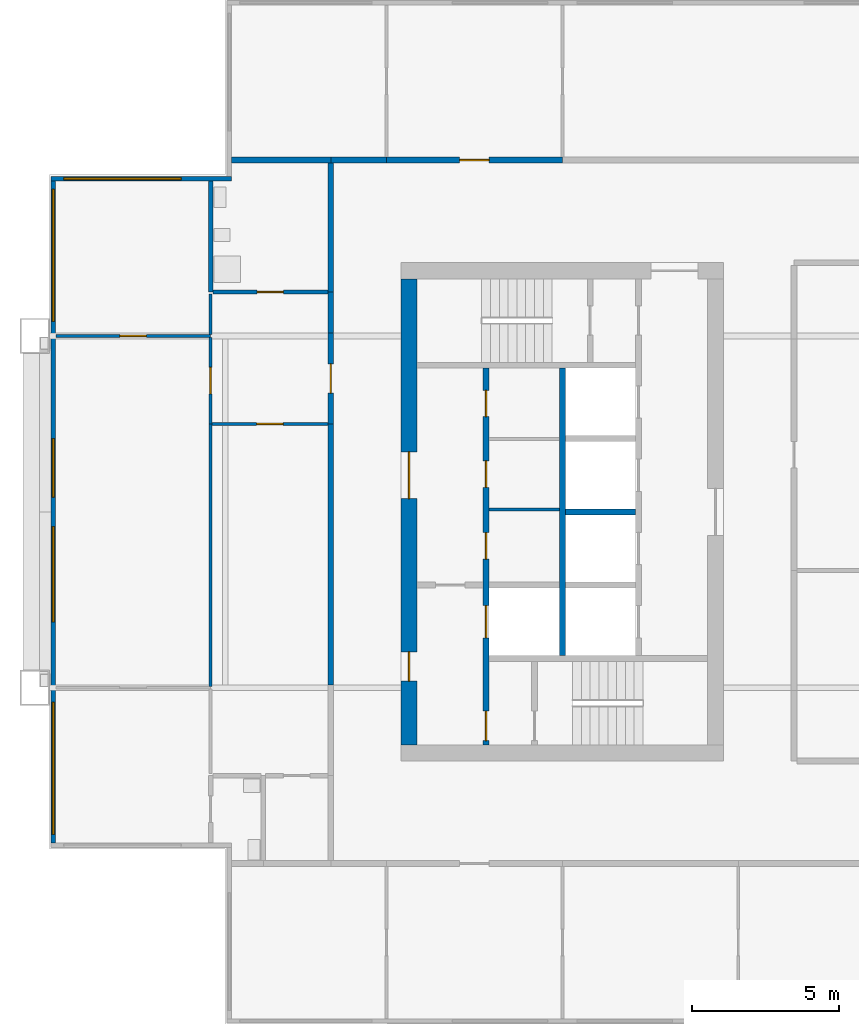
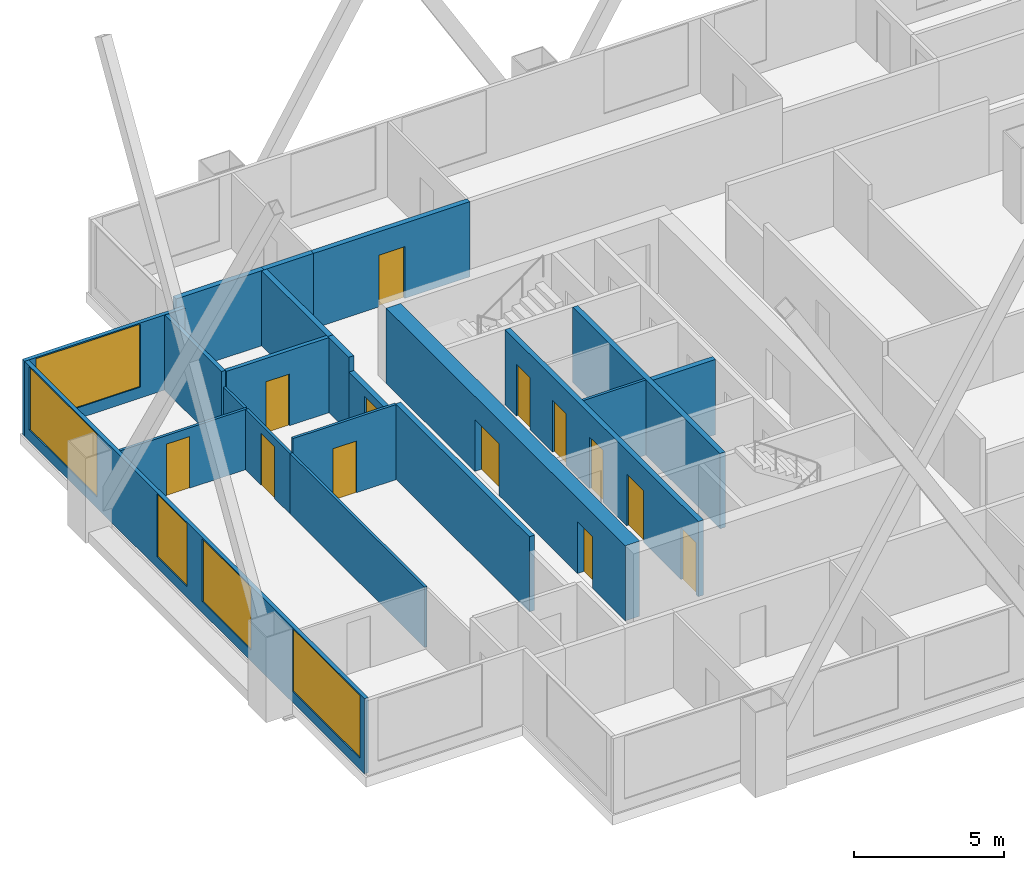
# One storey, part 3 of 9: 21 walls, 13 doors, 5 windows, 18 openings.
"""IFC4 building model written with IfcOpenShell, lengths in metres."""

from ifc_helpers import new_model, si_unit, direction, frame, frame_2d, origin, place, context, subcontext, project, spatial, rectangle, extrude, material, layer, layer_set, type_object, element, fill, save


model = new_model("IFC4")

# Units and contexts
model_context = context("Model", 3, precision=1e-05, world=origin(), true_north=direction((0.0, 1.0)))
body_context = subcontext(model_context, "Body", "Model", "MODEL_VIEW")
ifc_project = project(units=[si_unit("LENGTHUNIT", "METRE"), si_unit("AREAUNIT", "SQUARE_METRE"), si_unit("VOLUMEUNIT", "CUBIC_METRE"), si_unit("PLANEANGLEUNIT", "RADIAN"), si_unit("MASSUNIT", "GRAM", prefix="KILO")], contexts=[model_context])

# Site, building, storey
site_placement = place(None, origin())
site = spatial("IfcSite", under=ifc_project, at=site_placement, CompositionType="ELEMENT")
building_placement = place(site_placement, origin())
building = spatial("IfcBuilding", under=site, at=building_placement, Name="Kitamizu Gate Tower and Museum", CompositionType="ELEMENT")
storey_placement = place(building_placement, frame((0.0, 0.0, 192.75)))
storey = spatial("IfcBuildingStorey", under=building, at=storey_placement, Name="L51", CompositionType="ELEMENT", Elevation=192.75)

# Wall, openings, doors
ifc_material_1 = material(Name="Concrete Fc42", Category="concrete")
ifc_layer_1 = layer(ifc_material_1, 0.550048828125)
ifc_layer_set_1 = layer_set([ifc_layer_1], Name="Concrete Fc42")
wall_type_1 = type_object("IfcWallType", Name="Core wall 550", PredefinedType="SHEAR", material=ifc_layer_set_1)
wall_1_placement = place(storey_placement, frame((12.77490234375, 22.050048828125, 0.0), z_axis=(0.0, 0.0, 1.0), x_axis=(0.0, 1.0, 0.0)))
wall_1 = element("IfcWall", 1, at=wall_1_placement, inside=storey, type_object=wall_type_1, Name="Core wall WOUT", PredefinedType="SHEAR", context=body_context, shape_type="SweptSolid", body=[
    extrude(rectangle(XDim=15.89990234375, YDim=0.550048828125, at=frame_2d((7.949951171875, 0.0))), origin(), (0.0, 0.0, 1.0), 3.050048828125),
])
opening_1_placement = place(wall_1_placement, frame((8.39990234375, 0.0, 0.0)))
opening_1 = element("IfcOpeningElement", 2, at=opening_1_placement, cuts=wall_1, Name="Opening L51-035", PredefinedType="OPENING", context=body_context, shape_type="SweptSolid", body=[
    extrude(rectangle(XDim=1.60009765625, YDim=2.10009765625, at=frame_2d((0.800048828125, 1.050048828125))), frame((0.0, 0.28515625, 0.0), z_axis=(0.0, -1.0, 0.0), x_axis=(1.0, 0.0, 0.0)), (0.0, 0.0, 1.0), 0.570068359375),
])
opening_2_placement = place(wall_1_placement, frame((2.175048828125, 0.0, 0.0)))
opening_2 = element("IfcOpeningElement", 3, at=opening_2_placement, cuts=wall_1, Name="Opening L51-036", PredefinedType="OPENING", context=body_context, shape_type="SweptSolid", body=[
    extrude(rectangle(XDim=1.0, YDim=2.10009765625, at=frame_2d((0.5, 1.050048828125))), frame((0.0, 0.28515625, 0.0), z_axis=(0.0, -1.0, 0.0), x_axis=(1.0, 0.0, 0.0)), (0.0, 0.0, 1.0), 0.570068359375),
])
ifc_material_2 = material(Name="Timber door set", Category="wood")
door_type_1 = type_object("IfcDoorType", Name="Entrance door 1600", OperationType="DOUBLE_DOOR_SINGLE_SWING", PredefinedType="DOOR", material=ifc_material_2)
door_1_placement = place(opening_1_placement, origin())
door_1 = element("IfcDoor", 4, at=door_1_placement, inside=storey, type_object=door_type_1, Name="Lobby door L51-035", OperationType="DOUBLE_DOOR_SINGLE_SWING", OverallHeight=2.10009765625, OverallWidth=1.60009765625, PredefinedType="DOOR", context=body_context, shape_type="SweptSolid", body=[
    extrude(rectangle(XDim=1.60009765625, YDim=2.10009765625, at=frame_2d((0.800048828125, 1.050048828125))), frame((0.0, 0.02490234375, 0.0), z_axis=(0.0, -1.0, 0.0), x_axis=(1.0, 0.0, 0.0)), (0.0, 0.0, 1.0), 0.050048828125),
])
fill(opening_1, door_1)
ifc_material_3 = material(Name="Hollow metal door set")
door_type_2 = type_object("IfcDoorType", Name="Fire door 1000", OperationType="NOTDEFINED", PredefinedType="DOOR", material=ifc_material_3)
door_2_placement = place(opening_2_placement, frame((1.0, 0.0, 0.0), x_axis=(-1.0, 0.0, 0.0)))
door_2 = element("IfcDoor", 5, at=door_2_placement, inside=storey, type_object=door_type_2, Name="Fire-fighting lobby door L51-036", OperationType="SINGLE_SWING_LEFT", OverallHeight=2.10009765625, OverallWidth=1.0, PredefinedType="DOOR", context=body_context, shape_type="SweptSolid", body=[
    extrude(rectangle(XDim=1.0, YDim=2.10009765625, at=frame_2d((0.5, 1.050048828125))), frame((0.0, 0.02490234375, 0.0), z_axis=(0.0, -1.0, 0.0), x_axis=(1.0, 0.0, 0.0)), (0.0, 0.0, 1.0), 0.050048828125),
])
fill(opening_2, door_2)

# Wall
ifc_material_4 = material(Name="Gypsum board on galvanised stud")
ifc_layer_2 = layer(ifc_material_4, 0.10009765625)
ifc_layer_set_2 = layer_set([ifc_layer_2], Name="Gypsum board on galvanised stud")
wall_type_2 = type_object("IfcWallType", Name="Partition 100", PredefinedType="PARTITIONING", material=ifc_layer_set_2)
wall_2_placement = place(storey_placement, frame((15.5, 30.08203125, 0.0), z_axis=(0.0, 0.0, 1.0), x_axis=(1.0, 0.0, 0.0)))
element("IfcWall", 6, at=wall_2_placement, inside=storey, type_object=wall_type_2, Name="Partition WPF1", PredefinedType="PARTITIONING", context=body_context, shape_type="SweptSolid", body=[
    extrude(rectangle(XDim=2.39990234375, YDim=0.10009765625, at=frame_2d((1.199951171875, 0.0))), origin(), (0.0, 0.0, 1.0), 3.050048828125),
])

# Wall, opening, door
ifc_material_5 = material(Name="Gypsum board on galvanised stud")
ifc_layer_3 = layer(ifc_material_5, 0.10009765625)
ifc_layer_set_3 = layer_set([ifc_layer_3], Name="Gypsum board on galvanised stud")
wall_type_3 = type_object("IfcWallType", Name="Partition 100 NOT RATED", PredefinedType="PARTITIONING", material=ifc_layer_set_3)
wall_3_placement = place(storey_placement, frame((6.0, 36.0, 0.0), z_axis=(0.0, 0.0, 1.0), x_axis=(-1.0, 0.0, 0.0)))
wall_3 = element("IfcWall", 7, at=wall_3_placement, inside=storey, type_object=wall_type_3, Name="Partition L51-041", PredefinedType="PARTITIONING", context=body_context, shape_type="SweptSolid", body=[
    extrude(rectangle(XDim=5.280029296875, YDim=0.10009765625, at=frame_2d((2.64013671875, 0.0))), origin(), (0.0, 0.0, 1.0), 2.449951171875),
])
opening_3_placement = place(wall_3_placement, frame((2.18994140625, 0.0, 0.0)))
opening_3 = element("IfcOpeningElement", 8, at=opening_3_placement, cuts=wall_3, Name="Opening L51-021", PredefinedType="OPENING", context=body_context, shape_type="SweptSolid", body=[
    extrude(rectangle(XDim=0.89990234375, YDim=2.10009765625, at=frame_2d((0.449951171875, 1.050048828125))), frame((0.0, 0.06005859375, 0.0), z_axis=(0.0, -1.0, 0.0), x_axis=(1.0, 0.0, 0.0)), (0.0, 0.0, 1.0), 0.1201171875),
])
ifc_material_6 = material(Name="Timber door set", Category="wood")
door_type_3 = type_object("IfcDoorType", Name="Room door 900", OperationType="NOTDEFINED", PredefinedType="DOOR", material=ifc_material_6)
door_3_placement = place(opening_3_placement, frame((0.89990234375, 0.0, 0.0), x_axis=(-1.0, 0.0, 0.0)))
door_3 = element("IfcDoor", 9, at=door_3_placement, inside=storey, type_object=door_type_3, Name="Door L51-021", OperationType="SINGLE_SWING_LEFT", OverallHeight=2.10009765625, OverallWidth=0.89990234375, PredefinedType="DOOR", context=body_context, shape_type="SweptSolid", body=[
    extrude(rectangle(XDim=0.89990234375, YDim=2.10009765625, at=frame_2d((0.449951171875, 1.050048828125))), frame((0.0, 0.02490234375, 0.0), z_axis=(0.0, -1.0, 0.0), x_axis=(1.0, 0.0, 0.0)), (0.0, 0.0, 1.0), 0.050048828125),
])
fill(opening_3, door_3)

# Wall
wall_4_placement = place(storey_placement, frame((6.0, 24.050048828125, 0.0), z_axis=(0.0, 0.0, 1.0), x_axis=(0.0, 1.0, 0.0)))
element("IfcWall", 10, at=wall_4_placement, inside=storey, type_object=wall_type_3, Name="Partition L51-042", PredefinedType="PARTITIONING", context=body_context, shape_type="SweptSolid", body=[
    extrude(rectangle(XDim=8.949951171875, YDim=0.10009765625, at=frame_2d((4.47509765625, 0.0))), origin(), (0.0, 0.0, 1.0), 2.449951171875),
])

# Wall, opening, door
wall_5_placement = place(storey_placement, frame((6.0, 33.0, 0.0), z_axis=(0.0, 0.0, 1.0), x_axis=(0.0, 1.0, 0.0)))
wall_5 = element("IfcWall", 11, at=wall_5_placement, inside=storey, type_object=wall_type_3, Name="Partition L51-043", PredefinedType="PARTITIONING", context=body_context, shape_type="SweptSolid", body=[
    extrude(rectangle(XDim=2.949951171875, YDim=0.10009765625, at=frame_2d((1.47509765625, 0.0))), origin(), (0.0, 0.0, 1.0), 2.449951171875),
])
opening_4_placement = place(wall_5_placement, frame((1.02490234375, 0.0, 0.0)))
opening_4 = element("IfcOpeningElement", 12, at=opening_4_placement, cuts=wall_5, Name="Opening L51-017", PredefinedType="OPENING", context=body_context, shape_type="SweptSolid", body=[
    extrude(rectangle(XDim=0.89990234375, YDim=2.10009765625, at=frame_2d((0.449951171875, 1.050048828125))), frame((0.0, 0.06005859375, 0.0), z_axis=(0.0, -1.0, 0.0), x_axis=(1.0, 0.0, 0.0)), (0.0, 0.0, 1.0), 0.1201171875),
])
door_4_placement = place(opening_4_placement, origin())
door_4 = element("IfcDoor", 13, at=door_4_placement, inside=storey, type_object=door_type_3, Name="Door L51-017", OperationType="SINGLE_SWING_LEFT", OverallHeight=2.10009765625, OverallWidth=0.89990234375, PredefinedType="DOOR", context=body_context, shape_type="SweptSolid", body=[
    extrude(rectangle(XDim=0.89990234375, YDim=2.10009765625, at=frame_2d((0.449951171875, 1.050048828125))), frame((0.0, 0.02490234375, 0.0), z_axis=(0.0, -1.0, 0.0), x_axis=(1.0, 0.0, 0.0)), (0.0, 0.0, 1.0), 0.050048828125),
])
fill(opening_4, door_4)

# Wall
wall_6_placement = place(storey_placement, frame((6.0, 36.050048828125, 0.0), z_axis=(0.0, 0.0, 1.0), x_axis=(0.0, 1.0, 0.0)))
element("IfcWall", 14, at=wall_6_placement, inside=storey, type_object=wall_type_3, Name="Partition L51-044", PredefinedType="PARTITIONING", context=body_context, shape_type="SweptSolid", body=[
    extrude(rectangle(XDim=1.375, YDim=0.10009765625, at=frame_2d((0.6875, 0.0))), origin(), (0.0, 0.0, 1.0), 2.449951171875),
])

# Wall, opening, door
wall_7_placement = place(storey_placement, frame((10.0, 33.0, 0.0), z_axis=(0.0, 0.0, 1.0), x_axis=(-1.0, 0.0, 0.0)))
wall_7 = element("IfcWall", 15, at=wall_7_placement, inside=storey, type_object=wall_type_3, Name="Partition L51-050", PredefinedType="PARTITIONING", context=body_context, shape_type="SweptSolid", body=[
    extrude(rectangle(XDim=3.949951171875, YDim=0.10009765625, at=frame_2d((1.97509765625, 0.0))), origin(), (0.0, 0.0, 1.0), 3.050048828125),
])
opening_5_placement = place(wall_7_placement, frame((1.52490234375, 0.0, 0.0)))
opening_5 = element("IfcOpeningElement", 16, at=opening_5_placement, cuts=wall_7, Name="Opening L51-018", PredefinedType="OPENING", context=body_context, shape_type="SweptSolid", body=[
    extrude(rectangle(XDim=0.89990234375, YDim=2.10009765625, at=frame_2d((0.449951171875, 1.050048828125))), frame((0.0, 0.06005859375, 0.0), z_axis=(0.0, -1.0, 0.0), x_axis=(1.0, 0.0, 0.0)), (0.0, 0.0, 1.0), 0.1201171875),
])
door_5_placement = place(opening_5_placement, frame((0.89990234375, 0.0, 0.0), x_axis=(-1.0, 0.0, 0.0)))
door_5 = element("IfcDoor", 17, at=door_5_placement, inside=storey, type_object=door_type_3, Name="Door L51-018", OperationType="SINGLE_SWING_RIGHT", OverallHeight=2.10009765625, OverallWidth=0.89990234375, PredefinedType="DOOR", context=body_context, shape_type="SweptSolid", body=[
    extrude(rectangle(XDim=0.89990234375, YDim=2.10009765625, at=frame_2d((0.449951171875, 1.050048828125))), frame((0.0, 0.02490234375, 0.0), z_axis=(0.0, -1.0, 0.0), x_axis=(1.0, 0.0, 0.0)), (0.0, 0.0, 1.0), 0.050048828125),
])
fill(opening_5, door_5)

# Wall
ifc_material_7 = material(Name="Gypsum board on galvanised stud")
ifc_layer_4 = layer(ifc_material_7, 0.14990234375)
ifc_layer_set_4 = layer_set([ifc_layer_4], Name="Gypsum board on galvanised stud")
wall_type_4 = type_object("IfcWallType", Name="Partition 150", PredefinedType="PARTITIONING", material=ifc_layer_set_4)
wall_8_placement = place(storey_placement, frame((6.0, 37.5, 0.0), z_axis=(0.0, 0.0, 1.0), x_axis=(0.0, 1.0, 0.0)))
element("IfcWall", 18, at=wall_8_placement, inside=storey, type_object=wall_type_4, Name="Partition L51-045", PredefinedType="PARTITIONING", context=body_context, shape_type="SweptSolid", body=[
    extrude(rectangle(XDim=3.780029296875, YDim=0.14990234375, at=frame_2d((1.89013671875, 0.0))), origin(), (0.0, 0.0, 1.0), 3.050048828125),
])

# Wall, opening, door
wall_9_placement = place(storey_placement, frame((10.0, 37.5, 0.0), z_axis=(0.0, 0.0, 1.0), x_axis=(-1.0, 0.0, 0.0)))
wall_9 = element("IfcWall", 19, at=wall_9_placement, inside=storey, type_object=wall_type_4, Name="Partition L51-053", PredefinedType="PARTITIONING", context=body_context, shape_type="SweptSolid", body=[
    extrude(rectangle(XDim=3.925048828125, YDim=0.14990234375, at=frame_2d((1.96240234375, 0.0))), origin(), (0.0, 0.0, 1.0), 3.050048828125),
])
opening_6_placement = place(wall_9_placement, frame((1.512451171875, 0.0, 0.0)))
opening_6 = element("IfcOpeningElement", 20, at=opening_6_placement, cuts=wall_9, Name="Opening L51-020", PredefinedType="OPENING", context=body_context, shape_type="SweptSolid", body=[
    extrude(rectangle(XDim=0.89990234375, YDim=2.10009765625, at=frame_2d((0.449951171875, 1.050048828125))), frame((0.0, 0.0849609375, 0.0), z_axis=(0.0, -1.0, 0.0), x_axis=(1.0, 0.0, 0.0)), (0.0, 0.0, 1.0), 0.169921875),
])
ifc_material_8 = material(Name="Timber door set", Category="wood")
door_type_4 = type_object("IfcDoorType", Name="Bathroom door 900", OperationType="NOTDEFINED", PredefinedType="DOOR", material=ifc_material_8)
door_6_placement = place(opening_6_placement, frame((0.89990234375, 0.0, 0.0), x_axis=(-1.0, 0.0, 0.0)))
door_6 = element("IfcDoor", 21, at=door_6_placement, inside=storey, type_object=door_type_4, Name="Bathroom door L51-020", OperationType="SINGLE_SWING_RIGHT", OverallHeight=2.10009765625, OverallWidth=0.89990234375, PredefinedType="DOOR", context=body_context, shape_type="SweptSolid", body=[
    extrude(rectangle(XDim=0.89990234375, YDim=2.10009765625, at=frame_2d((0.449951171875, 1.050048828125))), frame((0.0, 0.02490234375, 0.0), z_axis=(0.0, -1.0, 0.0), x_axis=(1.0, 0.0, 0.0)), (0.0, 0.0, 1.0), 0.050048828125),
])
fill(opening_6, door_6)

# Walls
ifc_material_9 = material(Name="Gypsum board on galvanised stud")
ifc_layer_5 = layer(ifc_material_9, 0.199951171875)
ifc_layer_set_5 = layer_set([ifc_layer_5], Name="Gypsum board on galvanised stud")
wall_type_5 = type_object("IfcWallType", Name="Partition 200", PredefinedType="PARTITIONING", material=ifc_layer_set_5)
wall_10_placement = place(storey_placement, frame((6.719970703125, 42.0, 0.0), z_axis=(0.0, 0.0, 1.0), x_axis=(1.0, 0.0, 0.0)))
element("IfcWall", 22, at=wall_10_placement, inside=storey, type_object=wall_type_5, Name="Partition L51-024", PredefinedType="PARTITIONING", context=body_context, shape_type="SweptSolid", body=[
    extrude(rectangle(XDim=3.380126953125, YDim=0.199951171875, at=frame_2d((1.68994140625, 0.0))), origin(), (0.0, 0.0, 1.0), 3.050048828125),
])
wall_11_placement = place(storey_placement, frame((10.10009765625, 42.0, 0.0), z_axis=(0.0, 0.0, 1.0), x_axis=(1.0, 0.0, 0.0)))
element("IfcWall", 23, at=wall_11_placement, inside=storey, type_object=wall_type_5, Name="Partition L51-025", PredefinedType="PARTITIONING", context=body_context, shape_type="SweptSolid", body=[
    extrude(rectangle(XDim=1.89990234375, YDim=0.199951171875, at=frame_2d((0.949951171875, 0.0))), origin(), (0.0, 0.0, 1.0), 3.050048828125),
])

# Wall, opening, door
wall_12_placement = place(storey_placement, frame((12.0, 42.0, 0.0), z_axis=(0.0, 0.0, 1.0), x_axis=(1.0, 0.0, 0.0)))
wall_12 = element("IfcWall", 24, at=wall_12_placement, inside=storey, type_object=wall_type_5, Name="Partition L51-027", PredefinedType="PARTITIONING", context=body_context, shape_type="SweptSolid", body=[
    extrude(rectangle(XDim=6.0, YDim=0.199951171875, at=frame_2d((3.0, 0.0))), origin(), (0.0, 0.0, 1.0), 3.050048828125),
])
opening_7_placement = place(wall_12_placement, frame((2.5, 0.0, 0.0)))
opening_7 = element("IfcOpeningElement", 25, at=opening_7_placement, cuts=wall_12, Name="Opening L51-010", PredefinedType="OPENING", context=body_context, shape_type="SweptSolid", body=[
    extrude(rectangle(XDim=1.0, YDim=2.10009765625, at=frame_2d((0.5, 1.050048828125))), frame((0.0, 0.10986328125, 0.0), z_axis=(0.0, -1.0, 0.0), x_axis=(1.0, 0.0, 0.0)), (0.0, 0.0, 1.0), 0.219970703125),
])
ifc_material_10 = material(Name="Timber door set", Category="wood")
door_type_5 = type_object("IfcDoorType", Name="Flat entrance door 1000", OperationType="NOTDEFINED", PredefinedType="DOOR", material=ifc_material_10)
door_7_placement = place(opening_7_placement, origin())
door_7 = element("IfcDoor", 26, at=door_7_placement, inside=storey, type_object=door_type_5, Name="Flat entrance door L51-010", OperationType="SINGLE_SWING_LEFT", OverallHeight=2.10009765625, OverallWidth=1.0, PredefinedType="DOOR", context=body_context, shape_type="SweptSolid", body=[
    extrude(rectangle(XDim=1.0, YDim=2.10009765625, at=frame_2d((0.5, 1.050048828125))), frame((0.0, 0.02490234375, 0.0), z_axis=(0.0, -1.0, 0.0), x_axis=(1.0, 0.0, 0.0)), (0.0, 0.0, 1.0), 0.050048828125),
])
fill(opening_7, door_7)

# Wall
wall_13_placement = place(storey_placement, frame((10.10009765625, 24.10009765625, 0.0), z_axis=(0.0, 0.0, 1.0), x_axis=(0.0, 1.0, 0.0)))
element("IfcWall", 27, at=wall_13_placement, inside=storey, type_object=wall_type_5, Name="Partition L51-052", PredefinedType="PARTITIONING", context=body_context, shape_type="SweptSolid", body=[
    extrude(rectangle(XDim=8.89990234375, YDim=0.199951171875, at=frame_2d((4.449951171875, 0.0))), origin(), (0.0, 0.0, 1.0), 3.050048828125),
])

# Wall, opening, door
wall_14_placement = place(storey_placement, frame((10.10009765625, 33.0, 0.0), z_axis=(0.0, 0.0, 1.0), x_axis=(0.0, 1.0, 0.0)))
wall_14 = element("IfcWall", 28, at=wall_14_placement, inside=storey, type_object=wall_type_5, Name="Partition L51-054", PredefinedType="PARTITIONING", context=body_context, shape_type="SweptSolid", body=[
    extrude(rectangle(XDim=3.10009765625, YDim=0.199951171875, at=frame_2d((1.550048828125, 0.0))), origin(), (0.0, 0.0, 1.0), 2.449951171875),
])
opening_8_placement = place(wall_14_placement, frame((1.050048828125, 0.0, 0.0)))
opening_8 = element("IfcOpeningElement", 29, at=opening_8_placement, cuts=wall_14, Name="Opening L51-016", PredefinedType="OPENING", context=body_context, shape_type="SweptSolid", body=[
    extrude(rectangle(XDim=1.0, YDim=2.10009765625, at=frame_2d((0.5, 1.050048828125))), frame((0.0, 0.10986328125, 0.0), z_axis=(0.0, -1.0, 0.0), x_axis=(1.0, 0.0, 0.0)), (0.0, 0.0, 1.0), 0.219970703125),
])
door_8_placement = place(opening_8_placement, origin())
door_8 = element("IfcDoor", 30, at=door_8_placement, inside=storey, type_object=door_type_5, Name="Flat entrance door L51-016", OperationType="SINGLE_SWING_RIGHT", OverallHeight=2.10009765625, OverallWidth=1.0, PredefinedType="DOOR", context=body_context, shape_type="SweptSolid", body=[
    extrude(rectangle(XDim=1.0, YDim=2.10009765625, at=frame_2d((0.5, 1.050048828125))), frame((0.0, 0.02490234375, 0.0), z_axis=(0.0, -1.0, 0.0), x_axis=(1.0, 0.0, 0.0)), (0.0, 0.0, 1.0), 0.050048828125),
])
fill(opening_8, door_8)

# Walls
wall_15_placement = place(storey_placement, frame((10.10009765625, 36.10009765625, 0.0), z_axis=(0.0, 0.0, 1.0), x_axis=(0.0, 1.0, 0.0)))
element("IfcWall", 31, at=wall_15_placement, inside=storey, type_object=wall_type_5, Name="Partition L51-055", PredefinedType="PARTITIONING", context=body_context, shape_type="SweptSolid", body=[
    extrude(rectangle(XDim=1.39990234375, YDim=0.199951171875, at=frame_2d((0.699951171875, 0.0))), origin(), (0.0, 0.0, 1.0), 3.050048828125),
])
wall_16_placement = place(storey_placement, frame((10.10009765625, 37.5, 0.0), z_axis=(0.0, 0.0, 1.0), x_axis=(0.0, 1.0, 0.0)))
element("IfcWall", 32, at=wall_16_placement, inside=storey, type_object=wall_type_5, Name="Partition L51-056", PredefinedType="PARTITIONING", context=body_context, shape_type="SweptSolid", body=[
    extrude(rectangle(XDim=4.39990234375, YDim=0.199951171875, at=frame_2d((2.199951171875, 0.0))), origin(), (0.0, 0.0, 1.0), 3.050048828125),
])

# Wall, openings, doors
ifc_material_11 = material(Name="Concrete Fc42", Category="concrete")
ifc_layer_6 = layer(ifc_material_11, 0.199951171875)
ifc_layer_set_6 = layer_set([ifc_layer_6], Name="Concrete Fc42")
wall_type_6 = type_object("IfcWallType", Name="Shaft wall 200", PredefinedType="SOLIDWALL", material=ifc_layer_set_6)
wall_17_placement = place(storey_placement, frame((15.39990234375, 22.050048828125, 0.0), z_axis=(0.0, 0.0, 1.0), x_axis=(0.0, 1.0, 0.0)))
wall_17 = element("IfcWall", 33, at=wall_17_placement, inside=storey, type_object=wall_type_6, Name="Shaft wall WWEST", PredefinedType="SOLIDWALL", context=body_context, shape_type="SweptSolid", body=[
    extrude(rectangle(XDim=12.849853515625, YDim=0.199951171875, at=frame_2d((6.4248046875, 0.0))), origin(), (0.0, 0.0, 1.0), 3.050048828125),
])
opening_9_placement = place(wall_17_placement, frame((3.64990234375, 0.0, 0.0)))
opening_9 = element("IfcOpeningElement", 34, at=opening_9_placement, cuts=wall_17, Name="Opening LD", PredefinedType="OPENING", context=body_context, shape_type="SweptSolid", body=[
    extrude(rectangle(XDim=1.10009765625, YDim=2.10009765625, at=frame_2d((0.550048828125, 1.050048828125))), frame((0.0, 0.10986328125, 0.0), z_axis=(0.0, -1.0, 0.0), x_axis=(1.0, 0.0, 0.0)), (0.0, 0.0, 1.0), 0.219970703125),
])
opening_10_placement = place(wall_17_placement, frame((0.14990234375, 0.0, 0.0)))
opening_10 = element("IfcOpeningElement", 35, at=opening_10_placement, cuts=wall_17, Name="Opening L51-031", PredefinedType="OPENING", context=body_context, shape_type="SweptSolid", body=[
    extrude(rectangle(XDim=1.0, YDim=2.10009765625, at=frame_2d((0.5, 1.050048828125))), frame((0.0, 0.10986328125, 0.0), z_axis=(0.0, -1.0, 0.0), x_axis=(1.0, 0.0, 0.0)), (0.0, 0.0, 1.0), 0.219970703125),
])
opening_11_placement = place(wall_17_placement, frame((6.341064453125, 0.0, 0.0)))
opening_11 = element("IfcOpeningElement", 36, at=opening_11_placement, cuts=wall_17, Name="Opening L51-039", PredefinedType="OPENING", context=body_context, shape_type="SweptSolid", body=[
    extrude(rectangle(XDim=0.89990234375, YDim=2.10009765625, at=frame_2d((0.449951171875, 1.050048828125))), frame((0.0, 0.10986328125, 0.0), z_axis=(0.0, -1.0, 0.0), x_axis=(1.0, 0.0, 0.0)), (0.0, 0.0, 1.0), 0.219970703125),
])
opening_12_placement = place(wall_17_placement, frame((8.78662109375, 0.0, 0.0)))
opening_12 = element("IfcOpeningElement", 37, at=opening_12_placement, cuts=wall_17, Name="Opening L51-040", PredefinedType="OPENING", context=body_context, shape_type="SweptSolid", body=[
    extrude(rectangle(XDim=0.89990234375, YDim=2.10009765625, at=frame_2d((0.449951171875, 1.050048828125))), frame((0.0, 0.10986328125, 0.0), z_axis=(0.0, -1.0, 0.0), x_axis=(1.0, 0.0, 0.0)), (0.0, 0.0, 1.0), 0.219970703125),
])
opening_13_placement = place(wall_17_placement, frame((11.195556640625, 0.0, 0.0)))
opening_13 = element("IfcOpeningElement", 38, at=opening_13_placement, cuts=wall_17, Name="Opening L51-041", PredefinedType="OPENING", context=body_context, shape_type="SweptSolid", body=[
    extrude(rectangle(XDim=0.89990234375, YDim=2.10009765625, at=frame_2d((0.449951171875, 1.050048828125))), frame((0.0, 0.10986328125, 0.0), z_axis=(0.0, -1.0, 0.0), x_axis=(1.0, 0.0, 0.0)), (0.0, 0.0, 1.0), 0.219970703125),
])
door_9_placement = place(opening_10_placement, frame((1.0, 0.0, 0.0), x_axis=(-1.0, 0.0, 0.0)))
door_9 = element("IfcDoor", 39, at=door_9_placement, inside=storey, type_object=door_type_2, Name="Stair lobby door L51-031", OperationType="SINGLE_SWING_LEFT", OverallHeight=2.10009765625, OverallWidth=1.0, PredefinedType="DOOR", context=body_context, shape_type="SweptSolid", body=[
    extrude(rectangle(XDim=1.0, YDim=2.10009765625, at=frame_2d((0.5, 1.050048828125))), frame((0.0, 0.02490234375, 0.0), z_axis=(0.0, -1.0, 0.0), x_axis=(1.0, 0.0, 0.0)), (0.0, 0.0, 1.0), 0.050048828125),
])
fill(opening_10, door_9)
ifc_material_12 = material(Name="Hollow metal door set")
door_type_6 = type_object("IfcDoorType", Name="Landing door 1100", OperationType="SLIDING_TO_LEFT", PredefinedType="DOOR", material=ifc_material_12)
door_10_placement = place(opening_9_placement, origin())
door_10 = element("IfcDoor", 40, at=door_10_placement, inside=storey, type_object=door_type_6, Name="Landing door WFF1", OperationType="SLIDING_TO_LEFT", OverallHeight=2.10009765625, OverallWidth=1.10009765625, PredefinedType="DOOR", context=body_context, shape_type="SweptSolid", body=[
    extrude(rectangle(XDim=1.10009765625, YDim=2.10009765625, at=frame_2d((0.550048828125, 1.050048828125))), frame((0.0, 0.02490234375, 0.0), z_axis=(0.0, -1.0, 0.0), x_axis=(1.0, 0.0, 0.0)), (0.0, 0.0, 1.0), 0.050048828125),
])
fill(opening_9, door_10)
ifc_material_13 = material(Name="Timber door set", Category="wood")
door_type_7 = type_object("IfcDoorType", Name="Service door 900", OperationType="NOTDEFINED", PredefinedType="DOOR", material=ifc_material_13)
door_11_placement = place(opening_11_placement, frame((0.89990234375, 0.0, 0.0), x_axis=(-1.0, 0.0, 0.0)))
door_11 = element("IfcDoor", 41, at=door_11_placement, inside=storey, type_object=door_type_7, Name="Service door L51-039", OperationType="SINGLE_SWING_RIGHT", OverallHeight=2.10009765625, OverallWidth=0.89990234375, PredefinedType="DOOR", context=body_context, shape_type="SweptSolid", body=[
    extrude(rectangle(XDim=0.89990234375, YDim=2.10009765625, at=frame_2d((0.449951171875, 1.050048828125))), frame((0.0, 0.02490234375, 0.0), z_axis=(0.0, -1.0, 0.0), x_axis=(1.0, 0.0, 0.0)), (0.0, 0.0, 1.0), 0.050048828125),
])
fill(opening_11, door_11)
door_12_placement = place(opening_12_placement, frame((0.89990234375, 0.0, 0.0), x_axis=(-1.0, 0.0, 0.0)))
door_12 = element("IfcDoor", 42, at=door_12_placement, inside=storey, type_object=door_type_7, Name="Service door L51-040", OperationType="SINGLE_SWING_LEFT", OverallHeight=2.10009765625, OverallWidth=0.89990234375, PredefinedType="DOOR", context=body_context, shape_type="SweptSolid", body=[
    extrude(rectangle(XDim=0.89990234375, YDim=2.10009765625, at=frame_2d((0.449951171875, 1.050048828125))), frame((0.0, 0.02490234375, 0.0), z_axis=(0.0, -1.0, 0.0), x_axis=(1.0, 0.0, 0.0)), (0.0, 0.0, 1.0), 0.050048828125),
])
fill(opening_12, door_12)
door_13_placement = place(opening_13_placement, frame((0.89990234375, 0.0, 0.0), x_axis=(-1.0, 0.0, 0.0)))
door_13 = element("IfcDoor", 43, at=door_13_placement, inside=storey, type_object=door_type_7, Name="Service door L51-041", OperationType="SINGLE_SWING_RIGHT", OverallHeight=2.10009765625, OverallWidth=0.89990234375, PredefinedType="DOOR", context=body_context, shape_type="SweptSolid", body=[
    extrude(rectangle(XDim=0.89990234375, YDim=2.10009765625, at=frame_2d((0.449951171875, 1.050048828125))), frame((0.0, 0.02490234375, 0.0), z_axis=(0.0, -1.0, 0.0), x_axis=(1.0, 0.0, 0.0)), (0.0, 0.0, 1.0), 0.050048828125),
])
fill(opening_13, door_13)

# Walls
wall_18_placement = place(storey_placement, frame((18.0, 25.10009765625, 0.0), z_axis=(0.0, 0.0, 1.0), x_axis=(0.0, 1.0, 0.0)))
element("IfcWall", 44, at=wall_18_placement, inside=storey, type_object=wall_type_6, Name="Shaft wall WMID", PredefinedType="SOLIDWALL", context=body_context, shape_type="SweptSolid", body=[
    extrude(rectangle(XDim=9.7998046875, YDim=0.199951171875, at=frame_2d((4.89990234375, 0.0))), origin(), (0.0, 0.0, 1.0), 3.050048828125),
])
wall_19_placement = place(storey_placement, frame((18.10009765625, 30.0, 0.0), z_axis=(0.0, 0.0, 1.0), x_axis=(1.0, 0.0, 0.0)))
element("IfcWall", 45, at=wall_19_placement, inside=storey, type_object=wall_type_6, Name="Shaft wall WDVE1", PredefinedType="SOLIDWALL", context=body_context, shape_type="SweptSolid", body=[
    extrude(rectangle(XDim=2.39990234375, YDim=0.199951171875, at=frame_2d((1.199951171875, 0.0))), origin(), (0.0, 0.0, 1.0), 3.050048828125),
])

# Wall, opening, window
ifc_material_14 = material(Name="Bronze anodised aluminium frame with insulated spandrel and tinted glass", Category="aluminium")
ifc_layer_7 = layer(ifc_material_14, 0.14990234375)
ifc_layer_set_7 = layer_set([ifc_layer_7], Name="Bronze anodised aluminium frame with insulated spandrel and tinted glass")
wall_type_7 = type_object("IfcWallType", Name="WINDOW WALL 150 BRONZE FRAME EI 30", PredefinedType="ELEMENTEDWALL", material=ifc_layer_set_7)
wall_20_placement = place(storey_placement, frame((0.56005859375, 41.364990234375, 0.0), z_axis=(0.0, 0.0, 1.0), x_axis=(1.0, 0.0, 0.0)))
wall_20 = element("IfcWall", 46, at=wall_20_placement, inside=storey, type_object=wall_type_7, Name="Window wall north L51", PredefinedType="ELEMENTEDWALL", context=body_context, shape_type="SweptSolid", body=[
    extrude(rectangle(XDim=6.14990234375, YDim=0.14990234375, at=frame_2d((3.074951171875, 0.0))), origin(), (0.0, 0.0, 1.0), 3.050048828125),
])
opening_14_placement = place(wall_20_placement, frame((0.43994140625, 0.0, 0.449951171875)))
opening_14 = element("IfcOpeningElement", 47, at=opening_14_placement, cuts=wall_20, Name="Opening W16", PredefinedType="OPENING", context=body_context, shape_type="SweptSolid", body=[
    extrude(rectangle(XDim=4.0, YDim=2.550048828125, at=frame_2d((2.0, 1.27490234375))), frame((0.0, 0.0849609375, 0.0), z_axis=(0.0, -1.0, 0.0), x_axis=(1.0, 0.0, 0.0)), (0.0, 0.0, 1.0), 0.169921875),
])
ifc_material_15 = material(Name="Bronze anodised aluminium frame, tinted triple glazing", Category="aluminium")
window_type_1 = type_object("IfcWindowType", Name="WINDOW 4000 x 2550 SILL 450", PartitioningType="SINGLE_PANEL", PredefinedType="WINDOW", material=ifc_material_15)
window_1_placement = place(opening_14_placement, origin())
window_1 = element("IfcWindow", 48, at=window_1_placement, inside=storey, type_object=window_type_1, Name="Window W16 L51", OverallHeight=2.550048828125, OverallWidth=4.0, PartitioningType="SINGLE_PANEL", PredefinedType="WINDOW", context=body_context, shape_type="SweptSolid", body=[
    extrude(rectangle(XDim=4.0, YDim=2.550048828125, at=frame_2d((2.0, 1.27490234375))), frame((0.0, 0.030029296875, 0.0), z_axis=(0.0, -1.0, 0.0), x_axis=(1.0, 0.0, 0.0)), (0.0, 0.0, 1.0), 0.06005859375),
])
fill(opening_14, window_1)

# Wall, openings, windows
wall_21_placement = place(storey_placement, frame((0.635009765625, 18.7099609375, 0.0), z_axis=(0.0, 0.0, 1.0), x_axis=(0.0, 1.0, 0.0)))
wall_21 = element("IfcWall", 49, at=wall_21_placement, inside=storey, type_object=wall_type_7, Name="Window wall west L51", PredefinedType="ELEMENTEDWALL", context=body_context, shape_type="SweptSolid", body=[
    extrude(rectangle(XDim=22.580078125, YDim=0.14990234375, at=frame_2d((11.2900390625, 0.0))), origin(), (0.0, 0.0, 1.0), 3.050048828125),
])
opening_15_placement = place(wall_21_placement, frame((0.2900390625, 0.0, 0.449951171875)))
opening_15 = element("IfcOpeningElement", 50, at=opening_15_placement, cuts=wall_21, Name="Opening W15", PredefinedType="OPENING", context=body_context, shape_type="SweptSolid", body=[
    extrude(rectangle(XDim=4.5, YDim=2.550048828125, at=frame_2d((2.25, 1.27490234375))), frame((0.0, 0.0849609375, 0.0), z_axis=(0.0, -1.0, 0.0), x_axis=(1.0, 0.0, 0.0)), (0.0, 0.0, 1.0), 0.169921875),
])
opening_16_placement = place(wall_21_placement, frame((7.5400390625, 0.0, 0.449951171875)))
opening_16 = element("IfcOpeningElement", 51, at=opening_16_placement, cuts=wall_21, Name="Opening W34", PredefinedType="OPENING", context=body_context, shape_type="SweptSolid", body=[
    extrude(rectangle(XDim=3.25, YDim=2.550048828125, at=frame_2d((1.625, 1.27490234375))), frame((0.0, 0.0849609375, 0.0), z_axis=(0.0, -1.0, 0.0), x_axis=(1.0, 0.0, 0.0)), (0.0, 0.0, 1.0), 0.169921875),
])
opening_17_placement = place(wall_21_placement, frame((11.7900390625, 0.0, 0.449951171875)))
opening_17 = element("IfcOpeningElement", 52, at=opening_17_placement, cuts=wall_21, Name="Opening W2", PredefinedType="OPENING", context=body_context, shape_type="SweptSolid", body=[
    extrude(rectangle(XDim=2.0, YDim=2.550048828125, at=frame_2d((1.0, 1.27490234375))), frame((0.0, 0.0849609375, 0.0), z_axis=(0.0, -1.0, 0.0), x_axis=(1.0, 0.0, 0.0)), (0.0, 0.0, 1.0), 0.169921875),
])
opening_18_placement = place(wall_21_placement, frame((17.7900390625, 0.0, 0.449951171875)))
opening_18 = element("IfcOpeningElement", 53, at=opening_18_placement, cuts=wall_21, Name="Opening W15", PredefinedType="OPENING", context=body_context, shape_type="SweptSolid", body=[
    extrude(rectangle(XDim=4.5, YDim=2.550048828125, at=frame_2d((2.25, 1.27490234375))), frame((0.0, 0.0849609375, 0.0), z_axis=(0.0, -1.0, 0.0), x_axis=(1.0, 0.0, 0.0)), (0.0, 0.0, 1.0), 0.169921875),
])
ifc_material_16 = material(Name="Bronze anodised aluminium frame, tinted triple glazing", Category="aluminium")
window_type_2 = type_object("IfcWindowType", Name="WINDOW 2000 x 2550 SILL 450", PartitioningType="SINGLE_PANEL", PredefinedType="WINDOW", material=ifc_material_16)
window_2_placement = place(opening_17_placement, origin())
window_2 = element("IfcWindow", 54, at=window_2_placement, inside=storey, type_object=window_type_2, Name="Window W2 L51", OverallHeight=2.550048828125, OverallWidth=2.0, PartitioningType="SINGLE_PANEL", PredefinedType="WINDOW", context=body_context, shape_type="SweptSolid", body=[
    extrude(rectangle(XDim=2.0, YDim=2.550048828125, at=frame_2d((1.0, 1.27490234375))), frame((0.0, 0.030029296875, 0.0), z_axis=(0.0, -1.0, 0.0), x_axis=(1.0, 0.0, 0.0)), (0.0, 0.0, 1.0), 0.06005859375),
])
fill(opening_17, window_2)
ifc_material_17 = material(Name="Bronze anodised aluminium frame, tinted triple glazing", Category="aluminium")
window_type_3 = type_object("IfcWindowType", Name="WINDOW 3250 x 2550 SILL 450", PartitioningType="SINGLE_PANEL", PredefinedType="WINDOW", material=ifc_material_17)
window_3_placement = place(opening_16_placement, origin())
window_3 = element("IfcWindow", 55, at=window_3_placement, inside=storey, type_object=window_type_3, Name="Window W34 L51", OverallHeight=2.550048828125, OverallWidth=3.25, PartitioningType="SINGLE_PANEL", PredefinedType="WINDOW", context=body_context, shape_type="SweptSolid", body=[
    extrude(rectangle(XDim=3.25, YDim=2.550048828125, at=frame_2d((1.625, 1.27490234375))), frame((0.0, 0.030029296875, 0.0), z_axis=(0.0, -1.0, 0.0), x_axis=(1.0, 0.0, 0.0)), (0.0, 0.0, 1.0), 0.06005859375),
])
fill(opening_16, window_3)
ifc_material_18 = material(Name="Bronze anodised aluminium frame, tinted triple glazing", Category="aluminium")
window_type_4 = type_object("IfcWindowType", Name="WINDOW 4500 x 2550 SILL 450", PartitioningType="SINGLE_PANEL", PredefinedType="WINDOW", material=ifc_material_18)
window_4_placement = place(opening_15_placement, origin())
window_4 = element("IfcWindow", 56, at=window_4_placement, inside=storey, type_object=window_type_4, Name="Window W15 L51", OverallHeight=2.550048828125, OverallWidth=4.5, PartitioningType="SINGLE_PANEL", PredefinedType="WINDOW", context=body_context, shape_type="SweptSolid", body=[
    extrude(rectangle(XDim=4.5, YDim=2.550048828125, at=frame_2d((2.25, 1.27490234375))), frame((0.0, 0.030029296875, 0.0), z_axis=(0.0, -1.0, 0.0), x_axis=(1.0, 0.0, 0.0)), (0.0, 0.0, 1.0), 0.06005859375),
])
fill(opening_15, window_4)
window_5_placement = place(opening_18_placement, origin())
window_5 = element("IfcWindow", 57, at=window_5_placement, inside=storey, type_object=window_type_4, Name="Window W15 L51", OverallHeight=2.550048828125, OverallWidth=4.5, PartitioningType="SINGLE_PANEL", PredefinedType="WINDOW", context=body_context, shape_type="SweptSolid", body=[
    extrude(rectangle(XDim=4.5, YDim=2.550048828125, at=frame_2d((2.25, 1.27490234375))), frame((0.0, 0.030029296875, 0.0), z_axis=(0.0, -1.0, 0.0), x_axis=(1.0, 0.0, 0.0)), (0.0, 0.0, 1.0), 0.06005859375),
])
fill(opening_18, window_5)

save(model, "model.ifc")
